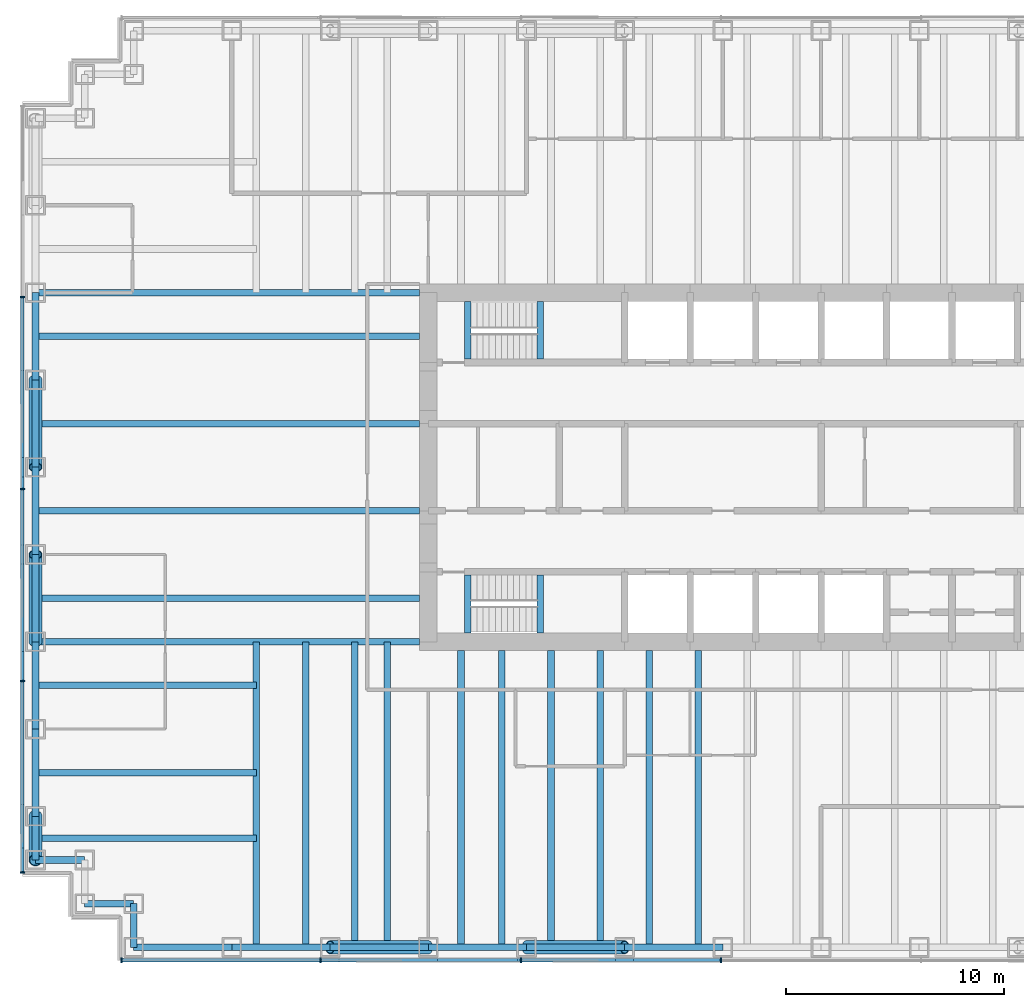
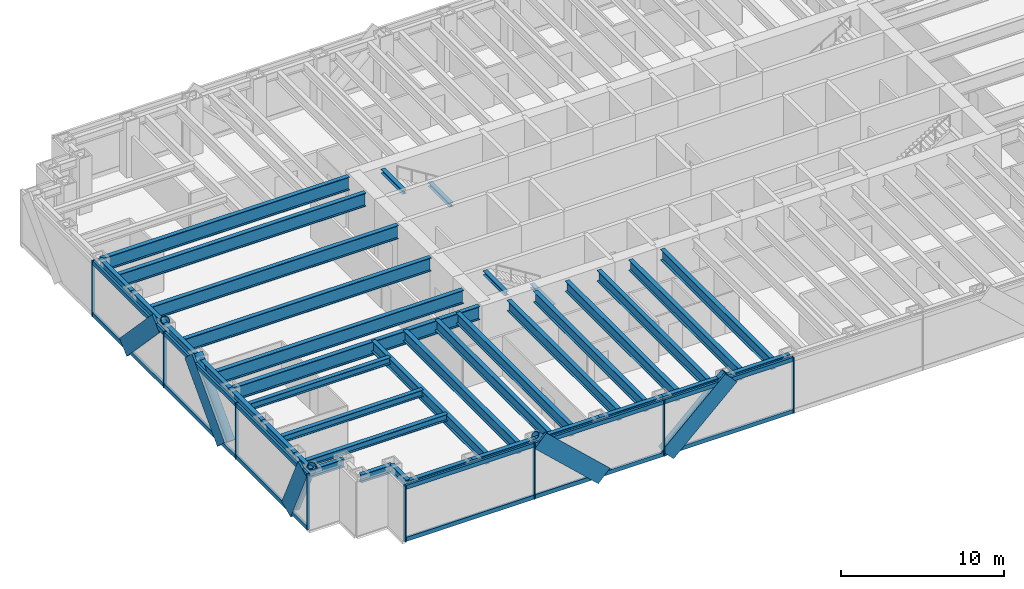
# One storey, part 2 of 14: 39 beams, 30 members, 2 elements without a shape of their own.
"""IFC4 building model written with IfcOpenShell, lengths in metres."""

from ifc_helpers import new_model, si_unit, direction, frame, origin, origin_2d, place, context, subcontext, project, spatial, rectangle, hollow_circle, i_section, extrude, material, material_profile, profile_set, type_object, element, aggregate, save


model = new_model("IFC4")

# Units and contexts
model_context = context("Model", 3, precision=1e-05, world=origin(), true_north=direction((0.0, 1.0)))
body_context = subcontext(model_context, "Body", "Model", "MODEL_VIEW")
ifc_project = project(units=[si_unit("LENGTHUNIT", "METRE"), si_unit("AREAUNIT", "SQUARE_METRE"), si_unit("VOLUMEUNIT", "CUBIC_METRE"), si_unit("PLANEANGLEUNIT", "RADIAN"), si_unit("MASSUNIT", "GRAM", prefix="KILO")], contexts=[model_context])

# Site, building, storey
site_placement = place(None, origin())
site = spatial("IfcSite", under=ifc_project, at=site_placement, CompositionType="ELEMENT")
building_placement = place(site_placement, origin())
building = spatial("IfcBuilding", under=site, at=building_placement, Name="Rheinbord Bourse Tower", CompositionType="ELEMENT")
storey_placement = place(building_placement, frame((0.0, 0.0, 232.0)))
storey = spatial("IfcBuildingStorey", under=building, at=storey_placement, Name="L52", CompositionType="ELEMENT", Elevation=232.0)

# Curtain wall, members
ifc_material_1 = material(Name="Dark glass and black aluminium", Category="aluminium")
curtain_wall_type = type_object("IfcCurtainWallType", Name="CW2 DARK GLASS CURTAIN WALL", PredefinedType="USERDEFINED", material=ifc_material_1)
curtain_wall_1_placement = place(storey_placement, origin())
curtain_wall_1 = element("IfcCurtainWall", 1, at=curtain_wall_1_placement, inside=storey, type_object=curtain_wall_type, Name="Curtain wall CW2 S L52", ObjectType="UNITISED CURTAIN WALL", PredefinedType="USERDEFINED")
ifc_material_2 = material(Name="Black anodised aluminium", Category="aluminium")
ifc_material_profile_1 = material_profile(ifc_material_2, rectangle(XDim=0.159912109375, YDim=1.2099609375, at=origin_2d()), Name="CW2 DIAGONAL MULLION 1210x160")
ifc_profile_set_1 = profile_set([ifc_material_profile_1], Name="Black anodised aluminium")
member_type_1 = type_object("IfcMemberType", Name="CW2 BLACK DIAGONAL MULLION", PredefinedType="USERDEFINED", material=ifc_profile_set_1)
member_1_placement = place(storey_placement, frame((18.0, 1.39990234375, 0.0), z_axis=(-0.73105922506, 0.0, 0.682314010889), x_axis=(0.0, -1.0, 0.0)))
member_1 = element("IfcMember", 2, at=member_1_placement, type_object=member_type_1, Name="CW2 diagonal mullion a", ObjectType="DIAGONAL MULLION", PredefinedType="USERDEFINED", context=body_context, shape_type="SweptSolid", body=[
    extrude(rectangle(XDim=0.159912109375, YDim=1.2099609375, at=origin_2d()), origin(), (0.0, 0.0, 1.0), 6.155517578125),
])
member_2_placement = place(storey_placement, frame((22.5, 1.39990234375, 0.0), z_axis=(0.73105922506, 0.0, 0.682314010889), x_axis=(0.0, 1.0, 0.0)))
member_2 = element("IfcMember", 3, at=member_2_placement, type_object=member_type_1, Name="CW2 diagonal mullion c", ObjectType="DIAGONAL MULLION", PredefinedType="USERDEFINED", context=body_context, shape_type="SweptSolid", body=[
    extrude(rectangle(XDim=0.159912109375, YDim=1.2099609375, at=origin_2d()), origin(), (0.0, 0.0, 1.0), 6.155517578125),
])

curtain_wall_2_placement = place(storey_placement, origin())
curtain_wall_2 = element("IfcCurtainWall", 4, at=curtain_wall_2_placement, inside=storey, type_object=curtain_wall_type, Name="Curtain wall CW2 W L52", ObjectType="UNITISED CURTAIN WALL", PredefinedType="USERDEFINED")
member_3_placement = place(storey_placement, frame((-0.60009765625, 8.0, 0.0), z_axis=(0.0, -0.429937654825, 0.902858578607), x_axis=(1.0, 0.0, 0.0)))
member_3 = element("IfcMember", 5, at=member_3_placement, type_object=member_type_1, Name="CW2 diagonal mullion a", ObjectType="DIAGONAL MULLION", PredefinedType="USERDEFINED", context=body_context, shape_type="SweptSolid", body=[
    extrude(rectangle(XDim=0.159912109375, YDim=1.2099609375, at=origin_2d()), origin(), (0.0, 0.0, 1.0), 4.65185546875),
])
member_4_placement = place(storey_placement, frame((-0.60009765625, 16.0, 0.0), z_axis=(0.0, 0.689659376744, 0.724133926887), x_axis=(-1.0, 0.0, 0.0)))
member_4 = element("IfcMember", 6, at=member_4_placement, type_object=member_type_1, Name="CW2 diagonal mullion c", ObjectType="DIAGONAL MULLION", PredefinedType="USERDEFINED", context=body_context, shape_type="SweptSolid", body=[
    extrude(rectangle(XDim=0.159912109375, YDim=1.2099609375, at=origin_2d()), origin(), (0.0, 0.0, 1.0), 5.800048828125),
])
member_5_placement = place(storey_placement, frame((-0.60009765625, 28.0, 0.0), z_axis=(0.0, -0.689659376744, 0.724133926887), x_axis=(1.0, 0.0, 0.0)))
member_5 = element("IfcMember", 7, at=member_5_placement, type_object=member_type_1, Name="CW2 diagonal mullion d", ObjectType="DIAGONAL MULLION", PredefinedType="USERDEFINED", context=body_context, shape_type="SweptSolid", body=[
    extrude(rectangle(XDim=0.159912109375, YDim=1.2099609375, at=origin_2d()), origin(), (0.0, 0.0, 1.0), 5.800048828125),
])

# Member
ifc_material_3 = material(Name="Black anodised aluminium", Category="aluminium")
ifc_material_profile_2 = material_profile(ifc_material_3, rectangle(XDim=0.219970703125, YDim=0.070068359375, at=origin_2d()), Name="CW2 MULLION 70x220")
ifc_profile_set_2 = profile_set([ifc_material_profile_2], Name="Black anodised aluminium")
member_type_2 = type_object("IfcMemberType", Name="CW2 BLACK MULLION", PredefinedType="MULLION", material=ifc_profile_set_2)
member_6_placement = place(storey_placement, frame((3.93505859375, 1.39990234375, 0.0), z_axis=(0.0, 0.0, 1.0), x_axis=(0.0, 1.0, 0.0)))
member_6 = element("IfcMember", 8, at=member_6_placement, type_object=member_type_2, Name="CW2 mullion 1", PredefinedType="MULLION", context=body_context, shape_type="SweptSolid", body=[
    extrude(rectangle(XDim=0.219970703125, YDim=0.070068359375, at=origin_2d()), origin(), (0.0, 0.0, 1.0), 4.199951171875),
])

member_7_placement = place(storey_placement, frame((13.071533203125, 1.39990234375, 0.0), z_axis=(0.0, 0.0, 1.0), x_axis=(0.0, 1.0, 0.0)))
member_7 = element("IfcMember", 9, at=member_7_placement, type_object=member_type_2, Name="CW2 mullion 2", PredefinedType="MULLION", context=body_context, shape_type="SweptSolid", body=[
    extrude(rectangle(XDim=0.219970703125, YDim=0.070068359375, at=origin_2d()), origin(), (0.0, 0.0, 1.0), 4.199951171875),
])

member_8_placement = place(storey_placement, frame((22.242919921875, 1.39990234375, 0.0), z_axis=(0.0, 0.0, 1.0), x_axis=(0.0, 1.0, 0.0)))
member_8 = element("IfcMember", 10, at=member_8_placement, type_object=member_type_2, Name="CW2 mullion 3", PredefinedType="MULLION", context=body_context, shape_type="SweptSolid", body=[
    extrude(rectangle(XDim=0.219970703125, YDim=0.070068359375, at=origin_2d()), origin(), (0.0, 0.0, 1.0), 4.199951171875),
])

member_9_placement = place(storey_placement, frame((31.414306640625, 1.39990234375, 0.0), z_axis=(0.0, 0.0, 1.0), x_axis=(0.0, 1.0, 0.0)))
member_9 = element("IfcMember", 11, at=member_9_placement, type_object=member_type_2, Name="CW2 mullion 4", PredefinedType="MULLION", context=body_context, shape_type="SweptSolid", body=[
    extrude(rectangle(XDim=0.219970703125, YDim=0.070068359375, at=origin_2d()), origin(), (0.0, 0.0, 1.0), 4.199951171875),
])

member_10_placement = place(storey_placement, frame((-0.60009765625, 31.800048828125, 0.0), z_axis=(0.0, 0.0, 1.0), x_axis=(1.0, 0.0, 0.0)))
member_10 = element("IfcMember", 12, at=member_10_placement, type_object=member_type_2, Name="CW2 mullion 2", PredefinedType="MULLION", context=body_context, shape_type="SweptSolid", body=[
    extrude(rectangle(XDim=0.219970703125, YDim=0.070068359375, at=origin_2d()), origin(), (0.0, 0.0, 1.0), 4.199951171875),
])

member_11_placement = place(storey_placement, frame((-0.60009765625, 23.0, 0.0), z_axis=(0.0, 0.0, 1.0), x_axis=(1.0, 0.0, 0.0)))
member_11 = element("IfcMember", 13, at=member_11_placement, type_object=member_type_2, Name="CW2 mullion 3", PredefinedType="MULLION", context=body_context, shape_type="SweptSolid", body=[
    extrude(rectangle(XDim=0.219970703125, YDim=0.070068359375, at=origin_2d()), origin(), (0.0, 0.0, 1.0), 4.199951171875),
])

member_12_placement = place(storey_placement, frame((-0.60009765625, 14.199951171875, 0.0), z_axis=(0.0, 0.0, 1.0), x_axis=(1.0, 0.0, 0.0)))
member_12 = element("IfcMember", 14, at=member_12_placement, type_object=member_type_2, Name="CW2 mullion 4", PredefinedType="MULLION", context=body_context, shape_type="SweptSolid", body=[
    extrude(rectangle(XDim=0.219970703125, YDim=0.070068359375, at=origin_2d()), origin(), (0.0, 0.0, 1.0), 4.199951171875),
])

member_13_placement = place(storey_placement, frame((-0.60009765625, 5.43505859375, 0.0), z_axis=(0.0, 0.0, 1.0), x_axis=(1.0, 0.0, 0.0)))
member_13 = element("IfcMember", 15, at=member_13_placement, type_object=member_type_2, Name="CW2 mullion 5", PredefinedType="MULLION", context=body_context, shape_type="SweptSolid", body=[
    extrude(rectangle(XDim=0.219970703125, YDim=0.070068359375, at=origin_2d()), origin(), (0.0, 0.0, 1.0), 4.199951171875),
])

ifc_material_4 = material(Name="Black anodised aluminium", Category="aluminium")
ifc_material_profile_3 = material_profile(ifc_material_4, rectangle(XDim=0.159912109375, YDim=0.300048828125, at=origin_2d()), Name="CW2 TRANSOM 300x160")
ifc_profile_set_3 = profile_set([ifc_material_profile_3], Name="Black anodised aluminium")
member_type_3 = type_object("IfcMemberType", Name="CW2 BLACK TRANSOM", PredefinedType="USERDEFINED", material=ifc_profile_set_3)
member_14_placement = place(storey_placement, frame((3.969970703125, 1.39990234375, 0.14990234375), z_axis=(1.0, 0.0, 0.0), x_axis=(0.0, 1.0, 0.0)))
member_14 = element("IfcMember", 16, at=member_14_placement, type_object=member_type_3, Name="CW2 transom 1.1", ObjectType="TRANSOM", PredefinedType="USERDEFINED", context=body_context, shape_type="SweptSolid", body=[
    extrude(rectangle(XDim=0.159912109375, YDim=0.300048828125, at=origin_2d()), origin(), (0.0, 0.0, 1.0), 9.06640625),
])

member_15_placement = place(storey_placement, frame((3.969970703125, 1.39990234375, 4.050048828125), z_axis=(1.0, 0.0, 0.0), x_axis=(0.0, 1.0, 0.0)))
member_15 = element("IfcMember", 17, at=member_15_placement, type_object=member_type_3, Name="CW2 transom 1.2", ObjectType="TRANSOM", PredefinedType="USERDEFINED", context=body_context, shape_type="SweptSolid", body=[
    extrude(rectangle(XDim=0.159912109375, YDim=0.300048828125, at=origin_2d()), origin(), (0.0, 0.0, 1.0), 9.06640625),
])

member_16_placement = place(storey_placement, frame((13.1064453125, 1.39990234375, 0.14990234375), z_axis=(1.0, 0.0, 0.0), x_axis=(0.0, 1.0, 0.0)))
member_16 = element("IfcMember", 18, at=member_16_placement, type_object=member_type_3, Name="CW2 transom 2.1", ObjectType="TRANSOM", PredefinedType="USERDEFINED", context=body_context, shape_type="SweptSolid", body=[
    extrude(rectangle(XDim=0.159912109375, YDim=0.300048828125, at=origin_2d()), origin(), (0.0, 0.0, 1.0), 9.101318359375),
])

member_17_placement = place(storey_placement, frame((13.1064453125, 1.39990234375, 4.050048828125), z_axis=(1.0, 0.0, 0.0), x_axis=(0.0, 1.0, 0.0)))
member_17 = element("IfcMember", 19, at=member_17_placement, type_object=member_type_3, Name="CW2 transom 2.2", ObjectType="TRANSOM", PredefinedType="USERDEFINED", context=body_context, shape_type="SweptSolid", body=[
    extrude(rectangle(XDim=0.159912109375, YDim=0.300048828125, at=origin_2d()), origin(), (0.0, 0.0, 1.0), 9.101318359375),
])

member_18_placement = place(storey_placement, frame((22.27783203125, 1.39990234375, 0.14990234375), z_axis=(1.0, 0.0, 0.0), x_axis=(0.0, 1.0, 0.0)))
member_18 = element("IfcMember", 20, at=member_18_placement, type_object=member_type_3, Name="CW2 transom 3.1", ObjectType="TRANSOM", PredefinedType="USERDEFINED", context=body_context, shape_type="SweptSolid", body=[
    extrude(rectangle(XDim=0.159912109375, YDim=0.300048828125, at=origin_2d()), origin(), (0.0, 0.0, 1.0), 9.1015625),
])

member_19_placement = place(storey_placement, frame((22.27783203125, 1.39990234375, 4.050048828125), z_axis=(1.0, 0.0, 0.0), x_axis=(0.0, 1.0, 0.0)))
member_19 = element("IfcMember", 21, at=member_19_placement, type_object=member_type_3, Name="CW2 transom 3.2", ObjectType="TRANSOM", PredefinedType="USERDEFINED", context=body_context, shape_type="SweptSolid", body=[
    extrude(rectangle(XDim=0.159912109375, YDim=0.300048828125, at=origin_2d()), origin(), (0.0, 0.0, 1.0), 9.1015625),
])

aggregate(curtain_wall_1, [member_6, member_7, member_8, member_9, member_14, member_15, member_16, member_17, member_18, member_19, member_1, member_2])

member_20_placement = place(storey_placement, frame((-0.60009765625, 31.764892578125, 0.14990234375), z_axis=(0.0, -1.0, 0.0), x_axis=(1.0, 0.0, 0.0)))
member_20 = element("IfcMember", 22, at=member_20_placement, type_object=member_type_3, Name="CW2 transom 2.1", ObjectType="TRANSOM", PredefinedType="USERDEFINED", context=body_context, shape_type="SweptSolid", body=[
    extrude(rectangle(XDim=0.159912109375, YDim=0.300048828125, at=origin_2d()), origin(), (0.0, 0.0, 1.0), 8.72998046875),
])

member_21_placement = place(storey_placement, frame((-0.60009765625, 31.764892578125, 4.050048828125), z_axis=(0.0, -1.0, 0.0), x_axis=(1.0, 0.0, 0.0)))
member_21 = element("IfcMember", 23, at=member_21_placement, type_object=member_type_3, Name="CW2 transom 2.2", ObjectType="TRANSOM", PredefinedType="USERDEFINED", context=body_context, shape_type="SweptSolid", body=[
    extrude(rectangle(XDim=0.159912109375, YDim=0.300048828125, at=origin_2d()), origin(), (0.0, 0.0, 1.0), 8.72998046875),
])

member_22_placement = place(storey_placement, frame((-0.60009765625, 22.965087890625, 0.14990234375), z_axis=(0.0, -1.0, 0.0), x_axis=(1.0, 0.0, 0.0)))
member_22 = element("IfcMember", 24, at=member_22_placement, type_object=member_type_3, Name="CW2 transom 3.1", ObjectType="TRANSOM", PredefinedType="USERDEFINED", context=body_context, shape_type="SweptSolid", body=[
    extrude(rectangle(XDim=0.159912109375, YDim=0.300048828125, at=origin_2d()), origin(), (0.0, 0.0, 1.0), 8.72998046875),
])

member_23_placement = place(storey_placement, frame((-0.60009765625, 22.965087890625, 4.050048828125), z_axis=(0.0, -1.0, 0.0), x_axis=(1.0, 0.0, 0.0)))
member_23 = element("IfcMember", 25, at=member_23_placement, type_object=member_type_3, Name="CW2 transom 3.2", ObjectType="TRANSOM", PredefinedType="USERDEFINED", context=body_context, shape_type="SweptSolid", body=[
    extrude(rectangle(XDim=0.159912109375, YDim=0.300048828125, at=origin_2d()), origin(), (0.0, 0.0, 1.0), 8.72998046875),
])

member_24_placement = place(storey_placement, frame((-0.60009765625, 14.1650390625, 0.14990234375), z_axis=(0.0, -1.0, 0.0), x_axis=(1.0, 0.0, 0.0)))
member_24 = element("IfcMember", 26, at=member_24_placement, type_object=member_type_3, Name="CW2 transom 4.1", ObjectType="TRANSOM", PredefinedType="USERDEFINED", context=body_context, shape_type="SweptSolid", body=[
    extrude(rectangle(XDim=0.159912109375, YDim=0.300048828125, at=origin_2d()), origin(), (0.0, 0.0, 1.0), 8.695068359375),
])

member_25_placement = place(storey_placement, frame((-0.60009765625, 14.1650390625, 4.050048828125), z_axis=(0.0, -1.0, 0.0), x_axis=(1.0, 0.0, 0.0)))
member_25 = element("IfcMember", 27, at=member_25_placement, type_object=member_type_3, Name="CW2 transom 4.2", ObjectType="TRANSOM", PredefinedType="USERDEFINED", context=body_context, shape_type="SweptSolid", body=[
    extrude(rectangle(XDim=0.159912109375, YDim=0.300048828125, at=origin_2d()), origin(), (0.0, 0.0, 1.0), 8.695068359375),
])

aggregate(curtain_wall_2, [member_10, member_11, member_12, member_13, member_20, member_21, member_22, member_23, member_24, member_25, member_3, member_4, member_5])

# Beams
ifc_material_5 = material(Name="Steel S460", Category="steel")
ifc_material_profile_4 = material_profile(ifc_material_5, i_section(OverallWidth=0.302001953125, OverallDepth=1.008056640625, WebThickness=0.02099609375, FlangeThickness=0.0400390625, at=origin_2d()), Name="HEM 1000")
ifc_profile_set_4 = profile_set([ifc_material_profile_4], Name="Steel S460")
beam_type_1 = type_object("IfcBeamType", Name="END BEAM HEM 1000", PredefinedType="BEAM", material=ifc_profile_set_4)
for number, where, z_axis, x_axis, name in (
    (28, (0.0, 18.0, 3.535888671875), (1.0, 0.0, 0.0), (0.0, 1.0, 0.0), "End beam west 18 L53"),
    (29, (0.0, 22.0, 3.535888671875), (1.0, 0.0, 0.0), (0.0, 1.0, 0.0), "End beam west 22 L53"),
    (30, (0.0, 26.0, 3.535888671875), (1.0, 0.0, 0.0), (0.0, 1.0, 0.0), "End beam west 26 L53"),
    (31, (0.0, 30.0, 3.535888671875), (1.0, 0.0, 0.0), (0.0, 1.0, 0.0), "End beam west 30 L53"),
):
    element("IfcBeam", number, at=place(storey_placement, frame(where, z_axis=z_axis, x_axis=x_axis)), inside=storey, type_object=beam_type_1, Name=name, PredefinedType="BEAM", context=body_context, shape_type="SweptSolid", body=[
        extrude(i_section(OverallWidth=0.302001953125, OverallDepth=1.008056640625, WebThickness=0.02099609375, FlangeThickness=0.0400390625, at=origin_2d()), origin(), (0.0, 0.0, 1.0), 17.60009765625),
    ])
ifc_material_6 = material(Name="Steel S460", Category="steel")
ifc_material_profile_5 = material_profile(ifc_material_6, i_section(OverallWidth=0.300048828125, OverallDepth=0.800048828125, WebThickness=0.017578125, FlangeThickness=0.032958984375, at=origin_2d()), Name="HEB 800")
ifc_profile_set_5 = profile_set([ifc_material_profile_5], Name="Steel S460")
beam_type_2 = type_object("IfcBeamType", Name="FLOOR BEAM HEB 800", PredefinedType="BEAM", material=ifc_profile_set_5)
for number, where, z_axis, x_axis, name in (
    (32, (10.125, 2.0, 3.639892578125), (0.0, 1.0, 0.0), (-1.0, 0.0, 0.0), "Floor beam S-9a L53"),
    (33, (12.375, 2.0, 3.639892578125), (0.0, 1.0, 0.0), (-1.0, 0.0, 0.0), "Floor beam S-9b L53"),
    (34, (14.625, 2.0, 3.639892578125), (0.0, 1.0, 0.0), (-1.0, 0.0, 0.0), "Floor beam S-13.5a L53"),
    (35, (16.125, 2.0, 3.639892578125), (0.0, 1.0, 0.0), (-1.0, 0.0, 0.0), "Floor beam S-13.5b L53"),
):
    element("IfcBeam", number, at=place(storey_placement, frame(where, z_axis=z_axis, x_axis=x_axis)), inside=storey, type_object=beam_type_2, Name=name, PredefinedType="BEAM", context=body_context, shape_type="SweptSolid", body=[
        extrude(i_section(OverallWidth=0.300048828125, OverallDepth=0.800048828125, WebThickness=0.017578125, FlangeThickness=0.032958984375, at=origin_2d()), origin(), (0.0, 0.0, 1.0), 14.0),
    ])
for number, where, z_axis, x_axis, name in (
    (36, (19.5, 2.0, 3.639892578125), (0.0, 1.0, 0.0), (-1.0, 0.0, 0.0), "Floor beam S-18a L53"),
    (37, (21.375, 2.0, 3.639892578125), (0.0, 1.0, 0.0), (-1.0, 0.0, 0.0), "Floor beam S-18b L53"),
    (38, (23.625, 2.0, 3.639892578125), (0.0, 1.0, 0.0), (-1.0, 0.0, 0.0), "Floor beam S-22.5a L53"),
    (39, (25.875, 2.0, 3.639892578125), (0.0, 1.0, 0.0), (-1.0, 0.0, 0.0), "Floor beam S-22.5b L53"),
    (40, (28.125, 2.0, 3.639892578125), (0.0, 1.0, 0.0), (-1.0, 0.0, 0.0), "Floor beam S-27a L53"),
    (41, (30.375, 2.0, 3.639892578125), (0.0, 1.0, 0.0), (-1.0, 0.0, 0.0), "Floor beam S-27b L53"),
):
    element("IfcBeam", number, at=place(storey_placement, frame(where, z_axis=z_axis, x_axis=x_axis)), inside=storey, type_object=beam_type_2, Name=name, PredefinedType="BEAM", context=body_context, shape_type="SweptSolid", body=[
        extrude(i_section(OverallWidth=0.300048828125, OverallDepth=0.800048828125, WebThickness=0.017578125, FlangeThickness=0.032958984375, at=origin_2d()), origin(), (0.0, 0.0, 1.0), 13.60009765625),
    ])
ifc_material_7 = material(Name="Steel S460", Category="steel")
ifc_material_profile_6 = material_profile(ifc_material_7, i_section(OverallWidth=0.302001953125, OverallDepth=1.008056640625, WebThickness=0.02099609375, FlangeThickness=0.0400390625, at=origin_2d()), Name="HEM 1000")
ifc_profile_set_6 = profile_set([ifc_material_profile_6], Name="Steel S460")
beam_type_3 = type_object("IfcBeamType", Name="GIRDER HEM 1000", PredefinedType="BEAM", material=ifc_profile_set_6)
for number, where, z_axis, x_axis, name in (
    (42, (0.0, 16.0, 3.535888671875), (1.0, 0.0, 0.0), (0.0, 1.0, 0.0), "Girder west 16 L53"),
    (43, (0.0, 32.0, 3.535888671875), (1.0, 0.0, 0.0), (0.0, 1.0, 0.0), "Girder west 32 L53"),
):
    element("IfcBeam", number, at=place(storey_placement, frame(where, z_axis=z_axis, x_axis=x_axis)), inside=storey, type_object=beam_type_3, Name=name, PredefinedType="BEAM", context=body_context, shape_type="SweptSolid", body=[
        extrude(i_section(OverallWidth=0.302001953125, OverallDepth=1.008056640625, WebThickness=0.02099609375, FlangeThickness=0.0400390625, at=origin_2d()), origin(), (0.0, 0.0, 1.0), 17.60009765625),
    ])
ifc_material_8 = material(Name="Steel S460", Category="steel")
ifc_material_profile_7 = material_profile(ifc_material_8, i_section(OverallWidth=0.300048828125, OverallDepth=0.300048828125, WebThickness=0.010986328125, FlangeThickness=0.01904296875, at=origin_2d()), Name="HEB 300")
ifc_profile_set_7 = profile_set([ifc_material_profile_7], Name="Steel S460")
beam_type_4 = type_object("IfcBeamType", Name="LANDING TRIMMER HEB 300", PredefinedType="BEAM", material=ifc_profile_set_7)
for number, where, z_axis, x_axis, name in (
    (44, (23.1298828125, 16.39990234375, 1.75), (0.0, 1.0, 0.0), (-1.0, 0.0, 0.0), "Landing trimmer ST1 L52"),
    (45, (19.800048828125, 16.39990234375, 3.889892578125), (0.0, 1.0, 0.0), (-1.0, 0.0, 0.0), "Well trimmer ST1 under L53"),
    (46, (23.1298828125, 28.949951171875, 1.75), (0.0, 1.0, 0.0), (-1.0, 0.0, 0.0), "Landing trimmer ST2 L52"),
    (47, (19.800048828125, 28.949951171875, 3.889892578125), (0.0, 1.0, 0.0), (-1.0, 0.0, 0.0), "Well trimmer ST2 under L53"),
):
    element("IfcBeam", number, at=place(storey_placement, frame(where, z_axis=z_axis, x_axis=x_axis)), inside=storey, type_object=beam_type_4, Name=name, PredefinedType="BEAM", context=body_context, shape_type="SweptSolid", body=[
        extrude(i_section(OverallWidth=0.300048828125, OverallDepth=0.300048828125, WebThickness=0.010986328125, FlangeThickness=0.01904296875, at=origin_2d()), origin(), (0.0, 0.0, 1.0), 2.650146484375),
    ])

# Members
ifc_material_9 = material(Name="Steel S460", Category="steel")
ifc_material_profile_8 = material_profile(ifc_material_9, hollow_circle(Radius=0.304931640625, WallThickness=0.0400390625, at=origin_2d()), Name="CHS 610x40")
ifc_profile_set_8 = profile_set([ifc_material_profile_8], Name="Steel S460")
member_type_4 = type_object("IfcMemberType", Name="MEGABRACE CHS 610x40", PredefinedType="BRACE", material=ifc_profile_set_8)
for number, where, z_axis, x_axis, name in (
    (48, (18.0, 2.0, 0.0), (-0.73105922506, 0.0, 0.682314010889), (0.0, -1.0, 0.0), "Megabrace S face line a L52"),
    (49, (22.5, 2.0, 0.0), (0.73105922506, 0.0, 0.682314010889), (0.0, 1.0, 0.0), "Megabrace S face line c L52"),
):
    element("IfcMember", number, at=place(storey_placement, frame(where, z_axis=z_axis, x_axis=x_axis)), inside=storey, type_object=member_type_4, Name=name, PredefinedType="BRACE", context=body_context, shape_type="SweptSolid", body=[
        extrude(hollow_circle(Radius=0.304931640625, WallThickness=0.0400390625, at=origin_2d()), origin(), (0.0, 0.0, 1.0), 6.155517578125),
    ])
member_26_placement = place(storey_placement, frame((0.0, 8.0, 0.0), z_axis=(0.0, -0.429937654825, 0.902858578607), x_axis=(1.0, 0.0, 0.0)))
element("IfcMember", 50, at=member_26_placement, inside=storey, type_object=member_type_4, Name="Megabrace W face line a L52", PredefinedType="BRACE", context=body_context, shape_type="SweptSolid", body=[
    extrude(hollow_circle(Radius=0.304931640625, WallThickness=0.0400390625, at=origin_2d()), origin(), (0.0, 0.0, 1.0), 4.65185546875),
])
for number, where, z_axis, x_axis, name in (
    (51, (0.0, 16.0, 0.0), (0.0, 0.689659376744, 0.724133926887), (-1.0, 0.0, 0.0), "Megabrace W face line c L52"),
    (52, (0.0, 28.0, 0.0), (0.0, -0.689659376744, 0.724133926887), (1.0, 0.0, 0.0), "Megabrace W face line d L52"),
):
    element("IfcMember", number, at=place(storey_placement, frame(where, z_axis=z_axis, x_axis=x_axis)), inside=storey, type_object=member_type_4, Name=name, PredefinedType="BRACE", context=body_context, shape_type="SweptSolid", body=[
        extrude(hollow_circle(Radius=0.304931640625, WallThickness=0.0400390625, at=origin_2d()), origin(), (0.0, 0.0, 1.0), 5.800048828125),
    ])

# Beams
ifc_material_10 = material(Name="Steel S460", Category="steel")
ifc_material_profile_9 = material_profile(ifc_material_10, i_section(OverallWidth=0.300048828125, OverallDepth=0.60009765625, WebThickness=0.015380859375, FlangeThickness=0.030029296875, at=origin_2d()), Name="HEB 600")
ifc_profile_set_9 = profile_set([ifc_material_profile_9], Name="Steel S460")
beam_type_5 = type_object("IfcBeamType", Name="SPANDREL HEB 600", PredefinedType="SPANDREL", material=ifc_profile_set_9)
for number, where, z_axis, x_axis, name in (
    (53, (4.5, 2.0, 3.739990234375), (1.0, 0.0, 0.0), (0.0, 1.0, 0.0), "Spandrel SW-E-S-9 under L53"),
    (54, (9.0, 2.0, 3.739990234375), (1.0, 0.0, 0.0), (0.0, 1.0, 0.0), "Spandrel S-9-S-13.5 under L53"),
    (55, (13.5, 2.0, 3.739990234375), (1.0, 0.0, 0.0), (0.0, 1.0, 0.0), "Spandrel S-13.5-S-18 under L53"),
    (56, (18.0, 2.0, 3.739990234375), (1.0, 0.0, 0.0), (0.0, 1.0, 0.0), "Spandrel S-18-S-22.5 under L53"),
    (57, (22.5, 2.0, 3.739990234375), (1.0, 0.0, 0.0), (0.0, 1.0, 0.0), "Spandrel S-22.5-S-27 under L53"),
    (58, (27.0, 2.0, 3.739990234375), (1.0, 0.0, 0.0), (0.0, 1.0, 0.0), "Spandrel S-27-S-31.5 under L53"),
):
    element("IfcBeam", number, at=place(storey_placement, frame(where, z_axis=z_axis, x_axis=x_axis)), inside=storey, type_object=beam_type_5, Name=name, PredefinedType="SPANDREL", context=body_context, shape_type="SweptSolid", body=[
        extrude(i_section(OverallWidth=0.300048828125, OverallDepth=0.60009765625, WebThickness=0.015380859375, FlangeThickness=0.030029296875, at=origin_2d()), origin(), (0.0, 0.0, 1.0), 4.5),
    ])
for number, where, z_axis, x_axis, name in (
    (59, (0.0, 32.0, 3.739990234375), (0.0, -1.0, 0.0), (1.0, 0.0, 0.0), "Spandrel W-32-W-28 under L53"),
    (60, (0.0, 28.0, 3.739990234375), (0.0, -1.0, 0.0), (1.0, 0.0, 0.0), "Spandrel W-28-W-24 under L53"),
    (61, (0.0, 24.0, 3.739990234375), (0.0, -1.0, 0.0), (1.0, 0.0, 0.0), "Spandrel W-24-W-20 under L53"),
    (62, (0.0, 20.0, 3.739990234375), (0.0, -1.0, 0.0), (1.0, 0.0, 0.0), "Spandrel W-20-W-16 under L53"),
    (63, (0.0, 16.0, 3.739990234375), (0.0, -1.0, 0.0), (1.0, 0.0, 0.0), "Spandrel W-16-W-12 under L53"),
    (64, (0.0, 12.0, 3.739990234375), (0.0, -1.0, 0.0), (1.0, 0.0, 0.0), "Spandrel W-12-W-8 under L53"),
):
    element("IfcBeam", number, at=place(storey_placement, frame(where, z_axis=z_axis, x_axis=x_axis)), inside=storey, type_object=beam_type_5, Name=name, PredefinedType="SPANDREL", context=body_context, shape_type="SweptSolid", body=[
        extrude(i_section(OverallWidth=0.300048828125, OverallDepth=0.60009765625, WebThickness=0.015380859375, FlangeThickness=0.030029296875, at=origin_2d()), origin(), (0.0, 0.0, 1.0), 4.0),
    ])
beam_1_placement = place(storey_placement, frame((0.0, 8.0, 3.739990234375), z_axis=(0.0, -1.0, 0.0), x_axis=(1.0, 0.0, 0.0)))
element("IfcBeam", 65, at=beam_1_placement, inside=storey, type_object=beam_type_5, Name="Spandrel W-8-SW-A under L53", PredefinedType="SPANDREL", context=body_context, shape_type="SweptSolid", body=[
    extrude(i_section(OverallWidth=0.300048828125, OverallDepth=0.60009765625, WebThickness=0.015380859375, FlangeThickness=0.030029296875, at=origin_2d()), origin(), (0.0, 0.0, 1.0), 2.0),
])
for number, where, z_axis, x_axis, name in (
    (66, (0.0, 6.0, 3.739990234375), (1.0, 0.0, 0.0), (0.0, 1.0, 0.0), "Spandrel SW-A-SW-B under L53"),
    (67, (2.25, 4.0, 3.739990234375), (1.0, 0.0, 0.0), (0.0, 1.0, 0.0), "Spandrel SW-C-SW-D under L53"),
):
    element("IfcBeam", number, at=place(storey_placement, frame(where, z_axis=z_axis, x_axis=x_axis)), inside=storey, type_object=beam_type_5, Name=name, PredefinedType="SPANDREL", context=body_context, shape_type="SweptSolid", body=[
        extrude(i_section(OverallWidth=0.300048828125, OverallDepth=0.60009765625, WebThickness=0.015380859375, FlangeThickness=0.030029296875, at=origin_2d()), origin(), (0.0, 0.0, 1.0), 2.25),
    ])
beam_2_placement = place(storey_placement, frame((4.5, 4.0, 3.739990234375), z_axis=(0.0, -1.0, 0.0), x_axis=(1.0, 0.0, 0.0)))
element("IfcBeam", 68, at=beam_2_placement, inside=storey, type_object=beam_type_5, Name="Spandrel SW-D-SW-E under L53", PredefinedType="SPANDREL", context=body_context, shape_type="SweptSolid", body=[
    extrude(i_section(OverallWidth=0.300048828125, OverallDepth=0.60009765625, WebThickness=0.015380859375, FlangeThickness=0.030029296875, at=origin_2d()), origin(), (0.0, 0.0, 1.0), 2.0),
])
ifc_material_11 = material(Name="Steel S460", Category="steel")
ifc_material_profile_10 = material_profile(ifc_material_11, i_section(OverallWidth=0.300048828125, OverallDepth=0.5, WebThickness=0.014404296875, FlangeThickness=0.028076171875, at=origin_2d()), Name="HEB 500")
ifc_profile_set_10 = profile_set([ifc_material_profile_10], Name="Steel S460")
beam_type_6 = type_object("IfcBeamType", Name="TIE BEAM HEB 500", PredefinedType="JOIST", material=ifc_profile_set_10)
for number, where, z_axis, x_axis, name in (
    (69, (0.0, 7.0, 3.7900390625), (1.0, 0.0, 0.0), (0.0, 1.0, 0.0), "Tie west 7 L53"),
    (70, (0.0, 10.0, 3.7900390625), (1.0, 0.0, 0.0), (0.0, 1.0, 0.0), "Tie west 10 L53"),
    (71, (0.0, 14.0, 3.7900390625), (1.0, 0.0, 0.0), (0.0, 1.0, 0.0), "Tie west 14 L53"),
):
    element("IfcBeam", number, at=place(storey_placement, frame(where, z_axis=z_axis, x_axis=x_axis)), inside=storey, type_object=beam_type_6, Name=name, PredefinedType="JOIST", context=body_context, shape_type="SweptSolid", body=[
        extrude(i_section(OverallWidth=0.300048828125, OverallDepth=0.5, WebThickness=0.014404296875, FlangeThickness=0.028076171875, at=origin_2d()), origin(), (0.0, 0.0, 1.0), 10.125),
    ])

save(model, "model.ifc")
